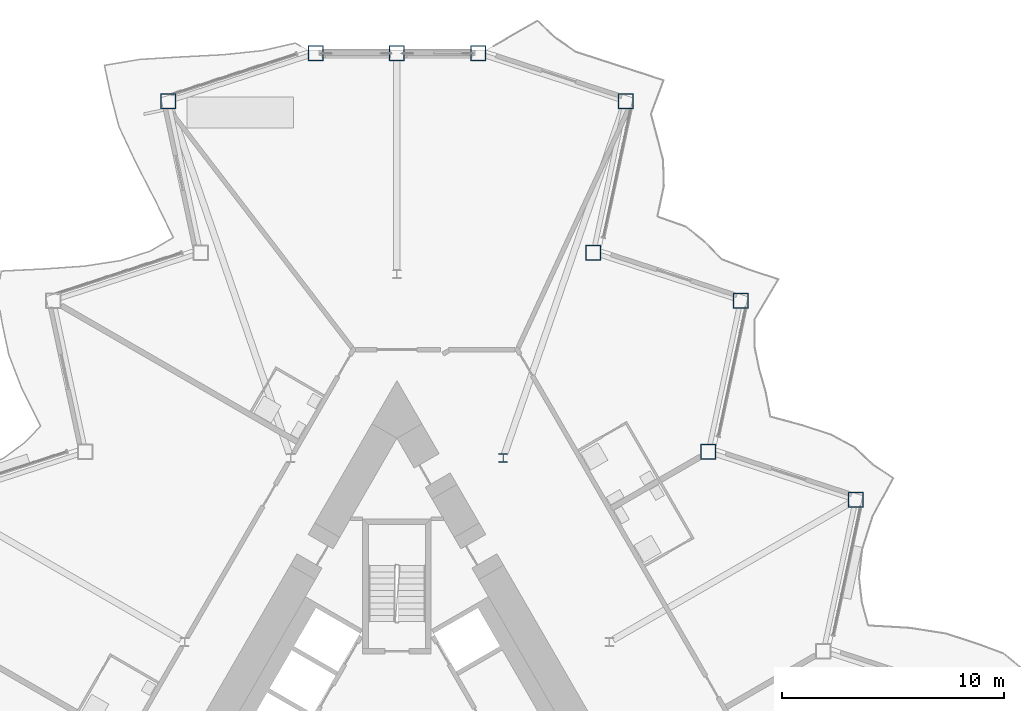
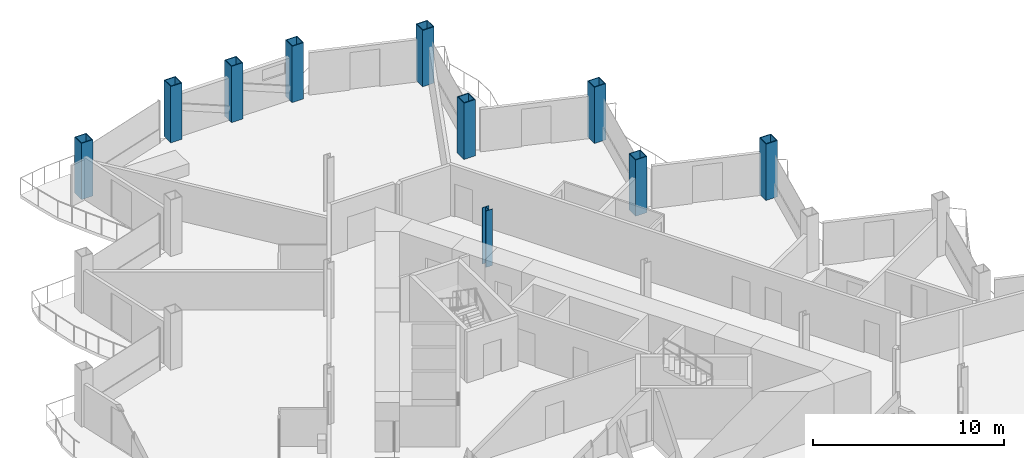
# One storey, part 3 of 23: 10 columns.
"""IFC4 building model written with IfcOpenShell, lengths in metres."""

from ifc_helpers import new_model, si_unit, direction, frame, origin, origin_2d, place, context, subcontext, project, spatial, hollow_rectangle, i_section, extrude, material, material_profile, profile_set, type_object, element, save


model = new_model("IFC4")

# Units and contexts
model_context = context("Model", 3, precision=1e-05, world=origin(), true_north=direction((0.0, 1.0)))
body_context = subcontext(model_context, "Body", "Model", "MODEL_VIEW")
ifc_project = project(units=[si_unit("LENGTHUNIT", "METRE"), si_unit("AREAUNIT", "SQUARE_METRE"), si_unit("VOLUMEUNIT", "CUBIC_METRE"), si_unit("PLANEANGLEUNIT", "RADIAN"), si_unit("MASSUNIT", "GRAM", prefix="KILO")], contexts=[model_context])

# Site, building, storey
site_placement = place(None, origin())
site = spatial("IfcSite", under=ifc_project, at=site_placement, CompositionType="ELEMENT")
building_placement = place(site_placement, origin())
building = spatial("IfcBuilding", under=site, at=building_placement, Name="Cormorant Prow Tower", CompositionType="ELEMENT")
storey_placement = place(building_placement, frame((0.0, 0.0, 252.60009765625)))
storey = spatial("IfcBuildingStorey", under=building, at=storey_placement, Name="L56", CompositionType="ELEMENT", Elevation=252.60009765625)

# Columns
ifc_material_1 = material(Name="Structural steel ASTM A572 Gr 50", Category="steel")
ifc_material_profile_1 = material_profile(ifc_material_1, hollow_rectangle(XDim=0.699951171875, YDim=0.699951171875, WallThickness=0.044921875, at=origin_2d()), Name="Box 700x700x45")
ifc_profile_set_1 = profile_set([ifc_material_profile_1], Name="Structural steel ASTM A572 Gr 50")
column_type_1 = type_object("IfcColumnType", Name="Perimeter box column 700x700x45", PredefinedType="COLUMN", material=ifc_profile_set_1)
for number, where, z_axis, x_axis, name in (
    (1, (20.686767578125, 11.943359375, 0.0), (0.0, 0.0, 1.0), (1.0, 0.0, 0.0), "Perimeter column C5 at ENE05 L56"),
    (2, (14.046875, 14.100830078125, 0.0), (0.0, 0.0, 1.0), (1.0, 0.0, 0.0), "Perimeter column C5 at ENE06 L56"),
    (3, (15.49853515625, 20.9296875, 0.0), (0.0, 0.0, 1.0), (1.0, 0.0, 0.0), "Perimeter column C5 at ENE07 L56"),
    (4, (8.858642578125, 23.087158203125, 0.0), (0.0, 0.0, 1.0), (1.0, 0.0, 0.0), "Perimeter column C5 at ENE08 L56"),
    (5, (10.310302734375, 29.916015625, 0.0), (0.0, 0.0, 1.0), (1.0, 0.0, 0.0), "Perimeter column C5 at ENE09 L56"),
    (6, (3.67041015625, 32.073486328125, 0.0), (0.0, 0.0, 1.0), (1.0, 0.0, 0.0), "Perimeter column C5 at N00 L56"),
    (7, (0.0, 32.073486328125, 0.0), (0.0, 0.0, 1.0), (1.0, 0.0, 0.0), "Perimeter column C5 at N01 L56"),
    (8, (-3.67041015625, 32.073486328125, 0.0), (0.0, 0.0, 1.0), (1.0, 0.0, 0.0), "Perimeter column C5 at WNW00 L56"),
    (9, (-10.310302734375, 29.916015625, 0.0), (0.0, 0.0, 1.0), (1.0, 0.0, 0.0), "Perimeter column C5 at WNW01 L56"),
):
    element("IfcColumn", number, at=place(storey_placement, frame(where, z_axis=z_axis, x_axis=x_axis)), inside=storey, type_object=column_type_1, Name=name, PredefinedType="COLUMN", context=body_context, shape_type="SweptSolid", body=[
        extrude(hollow_rectangle(XDim=0.699951171875, YDim=0.699951171875, WallThickness=0.044921875, at=origin_2d()), origin(), (0.0, 0.0, 1.0), 3.599853515625),
    ])
ifc_material_2 = material(Name="Structural steel ASTM A992 Gr 50", Category="steel")
ifc_material_profile_2 = material_profile(ifc_material_2, i_section(OverallWidth=0.39892578125, OverallDepth=0.393310546875, WebThickness=0.022705078125, FlangeThickness=0.03662109375, at=origin_2d()), Name="W14x193")
ifc_profile_set_2 = profile_set([ifc_material_profile_2], Name="Structural steel ASTM A992 Gr 50")
column_type_2 = type_object("IfcColumnType", Name="Ring column W14x193", PredefinedType="COLUMN", material=ifc_profile_set_2)
column_placement = place(storey_placement, frame((4.789306640625, 13.8251953125, 0.0), z_axis=(0.0, 0.0, 1.0), x_axis=(1.0, 0.0, 0.0)))
element("IfcColumn", 10, at=column_placement, inside=storey, type_object=column_type_2, Name="Ring column 12 L56", PredefinedType="COLUMN", context=body_context, shape_type="SweptSolid", body=[
    extrude(i_section(OverallWidth=0.39892578125, OverallDepth=0.393310546875, WebThickness=0.022705078125, FlangeThickness=0.03662109375, at=origin_2d()), origin(), (0.0, 0.0, 1.0), 3.599853515625),
])

save(model, "model.ifc")
